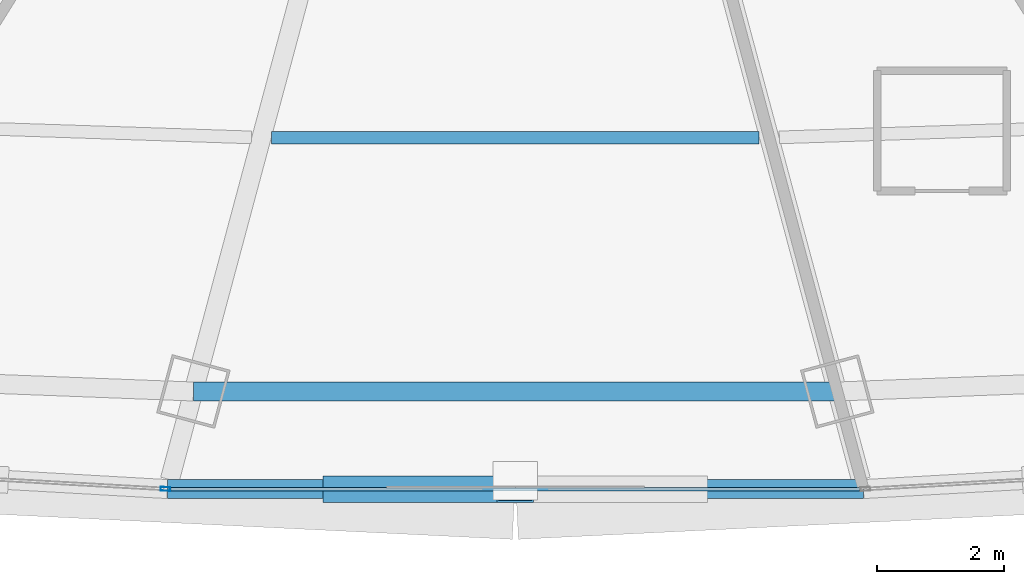
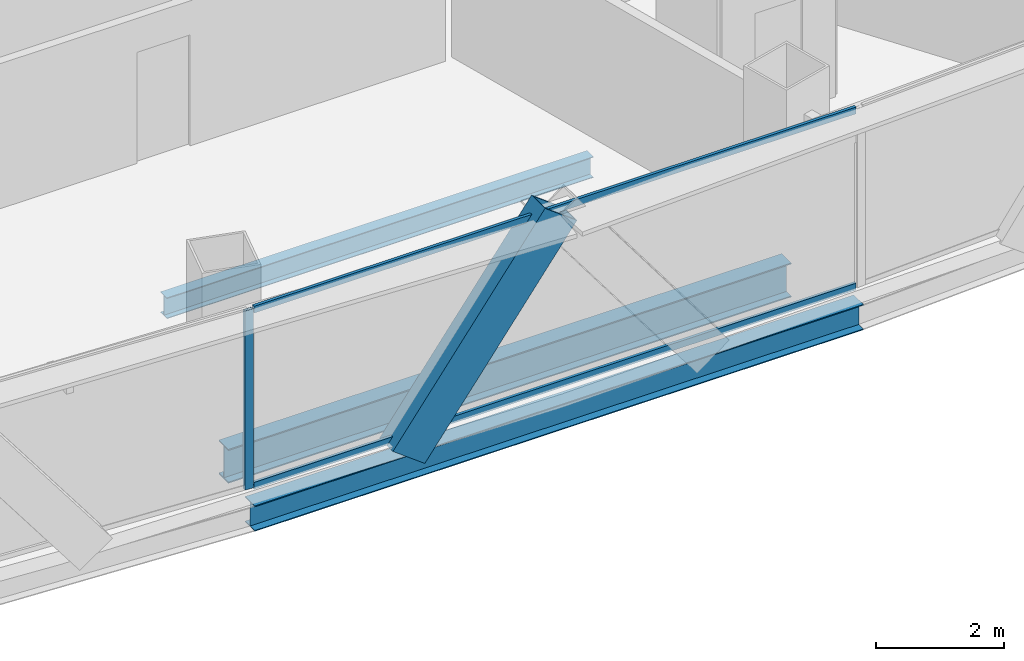
# One storey, part 10 of 39: 4 members, 3 beams, 2 elements without a shape of their own.
"""IFC4 building model written with IfcOpenShell, lengths in metres."""

from ifc_helpers import new_model, si_unit, direction, frame, origin, origin_2d, place, context, subcontext, project, spatial, hollow_rectangle, i_section, extrude, source, transform, mapped, material, layer, layer_set, material_profile, profile_set, type_object, element, aggregate, save


model = new_model("IFC4")

# Units and contexts
model_context = context("Model", 3, precision=1e-05, world=origin(), true_north=direction((0.0, 1.0)))
body_context = subcontext(model_context, "Body", "Model", "MODEL_VIEW")
ifc_project = project(units=[si_unit("LENGTHUNIT", "METRE"), si_unit("AREAUNIT", "SQUARE_METRE"), si_unit("VOLUMEUNIT", "CUBIC_METRE"), si_unit("PLANEANGLEUNIT", "RADIAN"), si_unit("MASSUNIT", "GRAM", prefix="KILO"), si_unit("THERMODYNAMICTEMPERATUREUNIT", "KELVIN"), si_unit("POWERUNIT", "WATT")], contexts=[model_context])

# Site, building, storey
site_placement = place(None, origin())
site = spatial("IfcSite", under=ifc_project, at=site_placement, CompositionType="ELEMENT")
building_placement = place(site_placement, origin())
building = spatial("IfcBuilding", under=site, at=building_placement, Name="Yunzhuo Pagoda Commons", CompositionType="ELEMENT")
storey_placement = place(building_placement, frame((0.0, 0.0, 148.22998046875)))
storey = spatial("IfcBuildingStorey", under=building, at=storey_placement, Name="L37", CompositionType="ELEMENT", Elevation=148.22998046875)

# Beams
ifc_material_1 = material(Name="Structural steel Q355B", Category="steel")
ifc_material_profile_1 = material_profile(ifc_material_1, i_section(OverallWidth=0.300048828125, OverallDepth=0.64990234375, WebThickness=0.012939453125, FlangeThickness=0.02197265625, at=origin_2d()), Name="Structural steel Q355B")
ifc_profile_set_1 = profile_set([ifc_material_profile_1], Name="Structural steel Q355B")
beam_type_1 = type_object("IfcBeamType", Name="B-RG2 Beam HN 650x300x13x22", PredefinedType="BEAM", material=ifc_profile_set_1)
shared_shape_1 = source(origin(), body_context, "Body", "SweptSolid", [
    extrude(i_section(OverallWidth=0.300048828125, OverallDepth=0.64990234375, WebThickness=0.012939453125, FlangeThickness=0.02197265625, at=origin_2d()), origin(), (0.0, 0.0, 1.0), 10.17041015625),
])
beam_1_placement = place(storey_placement, frame((42.914794921875, 14.7216796875, -0.584716796875), z_axis=(1.0, 0.0, 0.0), x_axis=(0.0, 1.0, 0.0)))
element("IfcBeam", 1, at=beam_1_placement, inside=storey, type_object=beam_type_1, Name="L37 column-ring beam 2", PredefinedType="BEAM", context=body_context, shape_type="MappedRepresentation", body=[
    mapped(shared_shape_1, transform((0.0, 0.0, 0.0), scale=1.0)),
])
ifc_material_profile_2 = material_profile(ifc_material_1, i_section(OverallWidth=0.199951171875, OverallDepth=0.39990234375, WebThickness=0.008056640625, FlangeThickness=0.012939453125, at=origin_2d()), Name="Structural steel Q355B")
ifc_profile_set_2 = profile_set([ifc_material_profile_2], Name="Structural steel Q355B")
beam_type_2 = type_object("IfcBeamType", Name="B-JS1 Joist HN 400x200x8x13", PredefinedType="JOIST", material=ifc_profile_set_2)
shared_shape_2 = source(origin(), body_context, "Body", "SweptSolid", [
    extrude(i_section(OverallWidth=0.199951171875, OverallDepth=0.39990234375, WebThickness=0.008056640625, FlangeThickness=0.012939453125, at=origin_2d()), origin(), (0.0, 0.0, 1.0), 7.7041015625),
])
beam_2_placement = place(storey_placement, frame((44.14794921875, 18.730712890625, -0.459716796875), z_axis=(1.0, 0.0, 0.0), x_axis=(0.0, 1.0, 0.0)))
element("IfcBeam", 2, at=beam_2_placement, inside=storey, type_object=beam_type_2, Name="L37 composite ring joist 2.2", PredefinedType="JOIST", context=body_context, shape_type="MappedRepresentation", body=[
    mapped(shared_shape_2, transform((0.0, 0.0, 0.0), scale=1.0)),
])
ifc_material_profile_3 = material_profile(ifc_material_1, i_section(OverallWidth=0.300048828125, OverallDepth=0.488037109375, WebThickness=0.010986328125, FlangeThickness=0.01806640625, at=origin_2d()), Name="Structural steel Q355B")
ifc_profile_set_3 = profile_set([ifc_material_profile_3], Name="Structural steel Q355B")
beam_type_3 = type_object("IfcBeamType", Name="B-SP1 Beam HM 488x300x11x18", PredefinedType="BEAM", material=ifc_profile_set_3)
shared_shape_3 = source(origin(), body_context, "Body", "SweptSolid", [
    extrude(i_section(OverallWidth=0.300048828125, OverallDepth=0.488037109375, WebThickness=0.010986328125, FlangeThickness=0.01806640625, at=origin_2d()), origin(), (0.0, 0.0, 1.0), 10.99609375),
])
beam_3_placement = place(storey_placement, frame((42.501953125, 13.1806640625, -0.50390625), z_axis=(1.0, 0.0, 0.0), x_axis=(0.0, 1.0, 0.0)))
element("IfcBeam", 3, at=beam_3_placement, inside=storey, type_object=beam_type_3, Name="L37 facade edge spandrel beam F1.2", PredefinedType="BEAM", context=body_context, shape_type="MappedRepresentation", body=[
    mapped(shared_shape_3, transform((0.0, 0.0, 0.0), scale=1.0)),
])

# Member
ifc_material_2 = material(Name="Structural steel Q420B", Category="steel")
ifc_material_profile_4 = material_profile(ifc_material_2, hollow_rectangle(XDim=0.419921875, YDim=0.719970703125, WallThickness=0.028076171875, at=origin_2d()), Name="Structural steel Q420B")
ifc_profile_set_4 = profile_set([ifc_material_profile_4], Name="Structural steel Q420B")
member_type_1 = type_object("IfcMemberType", Name="M-DL1 Brace BOX 720x420x28", PredefinedType="BRACE", material=ifc_profile_set_4)
shared_shape_4 = source(origin(), body_context, "Body", "SweptSolid", [
    extrude(hollow_rectangle(XDim=0.419921875, YDim=0.719970703125, WallThickness=0.028076171875, at=origin_2d()), origin(), (0.0, 0.0, 1.0), 4.59326171875),
])
member_1_placement = place(storey_placement, frame((45.2509765625, 13.1806640625, -0.260009765625), z_axis=(0.598476678281, 0.0, 0.801140228395), x_axis=(0.0, 1.0, 0.0)))
element("IfcMember", 4, at=member_1_placement, inside=storey, type_object=member_type_1, Name="L37 facade diamond brace F1.2L", PredefinedType="BRACE", context=body_context, shape_type="MappedRepresentation", body=[
    mapped(shared_shape_4, transform((0.0, 0.0, 0.0), scale=1.0)),
])

# Curtain wall, members
ifc_material_3 = material(Name="Anodized aluminium 6063-T6", Category="aluminium")
ifc_layer = layer(ifc_material_3, 0.14990234375)
ifc_layer_set = layer_set([ifc_layer], Name="Anodized aluminium 6063-T6")
curtain_wall_type = type_object("IfcCurtainWallType", Name="CW-MID Mid-Zone Ribbon Curtain Wall", PredefinedType="NOTDEFINED", material=ifc_layer_set)
curtain_wall_1_placement = place(storey_placement, origin())
curtain_wall_1 = element("IfcCurtainWall", 5, at=curtain_wall_1_placement, inside=storey, type_object=curtain_wall_type, Name="L37 curtain wall CW-L37-F1B3", PredefinedType="NOTDEFINED")
ifc_material_profile_5 = material_profile(ifc_material_3, hollow_rectangle(XDim=0.054931640625, YDim=0.1298828125, WallThickness=0.00341796875, at=origin_2d()), Name="Anodized aluminium 6063-T6")
ifc_profile_set_5 = profile_set([ifc_material_profile_5], Name="Anodized aluminium 6063-T6")
member_type_2 = type_object("IfcMemberType", Name="CW-MID-T Transom RHS 130x55x3.5", PredefinedType="USERDEFINED", material=ifc_profile_set_5)
shared_shape_5 = source(origin(), body_context, "Body", "SweptSolid", [
    extrude(hollow_rectangle(XDim=0.054931640625, YDim=0.1298828125, WallThickness=0.00341796875, at=origin_2d()), origin(), (0.0, 0.0, 1.0), 10.8759765625),
])
member_2_placement = place(storey_placement, frame((42.56201171875, 13.1806640625, 0.027587890625), z_axis=(1.0, 0.0, 0.0), x_axis=(0.0, 1.0, 0.0)))
member_2 = element("IfcMember", 6, at=member_2_placement, type_object=member_type_2, Name="CW transom 1.1", ObjectType="TRANSOM", PredefinedType="USERDEFINED", context=body_context, shape_type="MappedRepresentation", body=[
    mapped(shared_shape_5, transform((0.0, 0.0, 0.0), scale=1.0)),
])
member_3_placement = place(storey_placement, frame((42.56201171875, 13.1806640625, 3.392578125), z_axis=(1.0, 0.0, 0.0), x_axis=(0.0, 1.0, 0.0)))
member_3 = element("IfcMember", 7, at=member_3_placement, type_object=member_type_2, Name="CW transom 1.2", ObjectType="TRANSOM", PredefinedType="USERDEFINED", context=body_context, shape_type="MappedRepresentation", body=[
    mapped(shared_shape_5, transform((0.0, 0.0, 0.0), scale=1.0)),
])
aggregate(curtain_wall_1, [member_2, member_3])

# Curtain wall, member
curtain_wall_2_placement = place(storey_placement, origin())
curtain_wall_2 = element("IfcCurtainWall", 8, at=curtain_wall_2_placement, inside=storey, type_object=curtain_wall_type, Name="L37 curtain wall CW-L37-F1B2", PredefinedType="NOTDEFINED")
ifc_material_profile_6 = material_profile(ifc_material_3, hollow_rectangle(XDim=0.06005859375, YDim=0.14990234375, WallThickness=0.00390625, at=origin_2d()), Name="Anodized aluminium 6063-T6")
ifc_profile_set_6 = profile_set([ifc_material_profile_6], Name="Anodized aluminium 6063-T6")
member_type_3 = type_object("IfcMemberType", Name="CW-MID-M Mullion RHS 150x60x4", PredefinedType="MULLION", material=ifc_profile_set_6)
shared_shape_6 = source(origin(), body_context, "Body", "SweptSolid", [
    extrude(hollow_rectangle(XDim=0.06005859375, YDim=0.14990234375, WallThickness=0.00390625, at=origin_2d()), origin(), (0.0, 0.0, 1.0), 3.419677734375),
])
member_4_placement = place(storey_placement, frame((42.471923828125, 13.182373046875, 0.000244140625), z_axis=(0.0, 0.0, 1.0), x_axis=(0.056597401536, 0.998397082397, 0.0)))
member_4 = element("IfcMember", 9, at=member_4_placement, type_object=member_type_3, Name="CW mullion 2", PredefinedType="MULLION", context=body_context, shape_type="MappedRepresentation", body=[
    mapped(shared_shape_6, transform((0.0, 0.0, 0.0), scale=1.0)),
])
aggregate(curtain_wall_2, [member_4])

save(model, "model.ifc")
